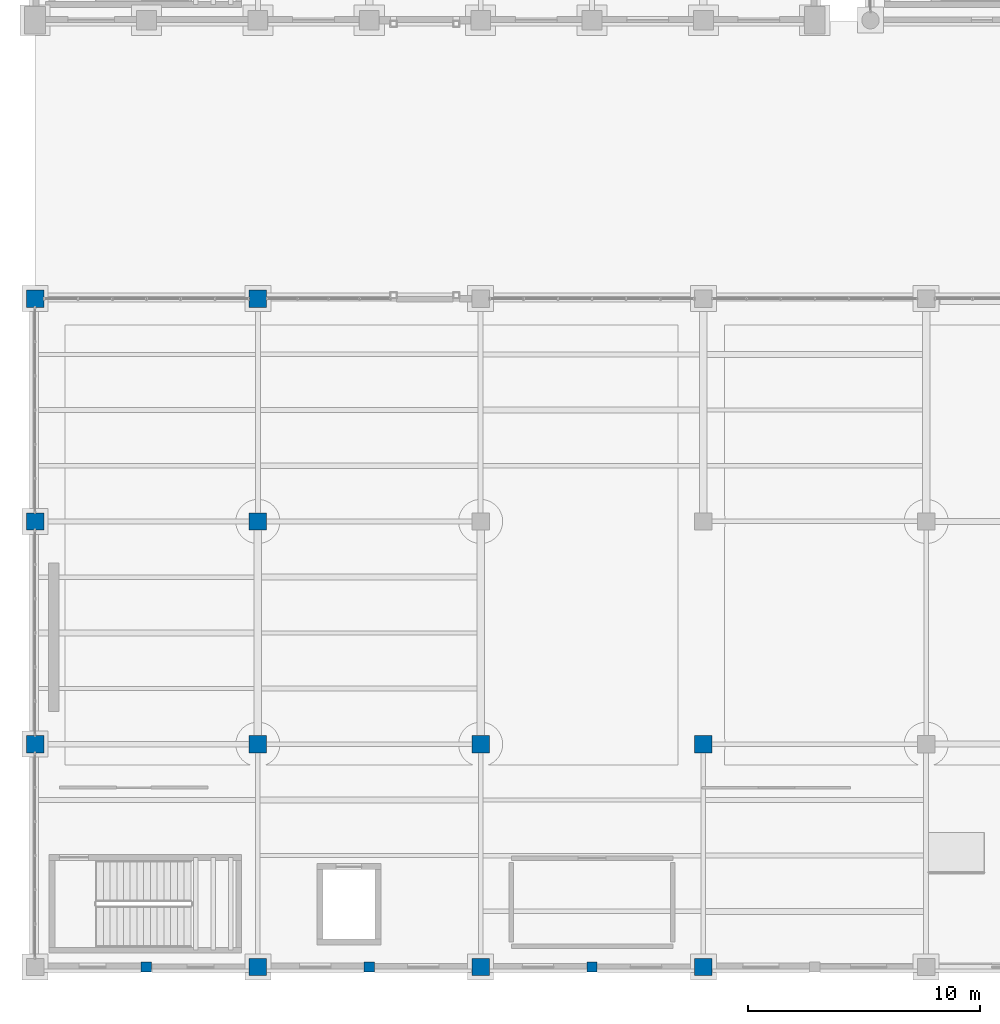
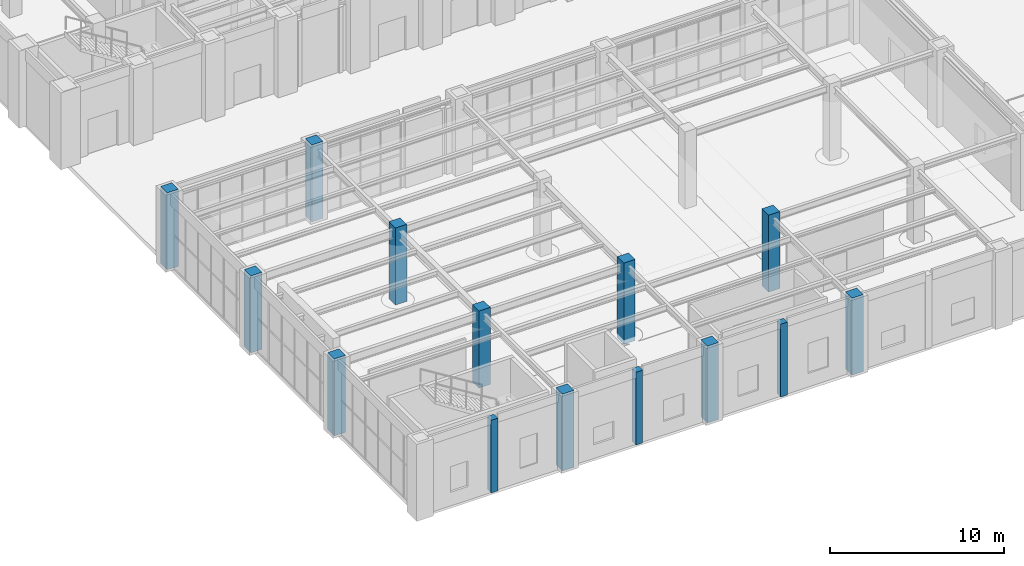
# One storey, part 2 of 164: 14 columns.
"""IFC4 building model written with IfcOpenShell, lengths in metres."""

from ifc_helpers import new_model, si_unit, direction, frame, origin, origin_2d, place, context, subcontext, project, spatial, rectangle, extrude, material, material_profile, profile_set, type_object, element, save


model = new_model("IFC4")

# Units and contexts
model_context = context("Model", 3, precision=1e-05, world=origin(), true_north=direction((0.0, 1.0)))
body_context = subcontext(model_context, "Body", "Model", "MODEL_VIEW")
ifc_project = project(units=[si_unit("LENGTHUNIT", "METRE"), si_unit("AREAUNIT", "SQUARE_METRE"), si_unit("VOLUMEUNIT", "CUBIC_METRE"), si_unit("PLANEANGLEUNIT", "RADIAN"), si_unit("MASSUNIT", "GRAM", prefix="KILO")], contexts=[model_context])

# Site, building, storey
site_placement = place(None, origin())
site = spatial("IfcSite", under=ifc_project, at=site_placement, CompositionType="ELEMENT")
building_placement = place(site_placement, origin())
building = spatial("IfcBuilding", under=site, at=building_placement, Name="Mavantir Sound Aquarium", CompositionType="ELEMENT")
storey_placement = place(building_placement, origin())
storey = spatial("IfcBuildingStorey", under=building, at=storey_placement, Name="L00", CompositionType="ELEMENT", Elevation=0.0)

# Columns
ifc_material = material(Name="Concrete C40/50", Category="concrete")
ifc_material_profile_1 = material_profile(ifc_material, rectangle(XDim=0.449951171875, YDim=0.449951171875, at=origin_2d()), Name="RC 450X450")
ifc_profile_set_1 = profile_set([ifc_material_profile_1], Name="Concrete C40/50")
column_type_1 = type_object("IfcColumnType", Name="COL-RC450-E", PredefinedType="PILASTER", material=ifc_profile_set_1)
for number, where, z_axis, x_axis, name in (
    (1, (4.800048828125, 0.0, 0.0), (0.0, 0.0, 1.0), (1.0, 0.0, 0.0), "Postmodern facade pilaster L00.1"),
    (2, (14.39990234375, 0.0, 0.0), (0.0, 0.0, 1.0), (1.0, 0.0, 0.0), "Postmodern facade pilaster L00.2"),
    (3, (24.0, 0.0, 0.0), (0.0, 0.0, 1.0), (1.0, 0.0, 0.0), "Postmodern facade pilaster L00.3"),
):
    element("IfcColumn", number, at=place(storey_placement, frame(where, z_axis=z_axis, x_axis=x_axis)), inside=storey, type_object=column_type_1, Name=name, PredefinedType="PILASTER", context=body_context, shape_type="SweptSolid", body=[
        extrude(rectangle(XDim=0.449951171875, YDim=0.449951171875, at=origin_2d()), origin(), (0.0, 0.0, 1.0), 5.10009765625),
    ])
ifc_material_profile_2 = material_profile(ifc_material, rectangle(XDim=0.75, YDim=0.75, at=origin_2d()), Name="RC 750X750")
ifc_profile_set_2 = profile_set([ifc_material_profile_2], Name="Concrete C40/50")
column_type_2 = type_object("IfcColumnType", Name="COL-RC750-E", PredefinedType="COLUMN", material=ifc_profile_set_2)
for number, where, z_axis, x_axis, name in (
    (4, (0.0, 9.60009765625, 0.0), (0.0, 0.0, 1.0), (1.0, 0.0, 0.0), "L00 column RC-C75 (V3)"),
    (5, (0.0, 19.199951171875, 0.0), (0.0, 0.0, 1.0), (1.0, 0.0, 0.0), "L00 column RC-C75 (V3)"),
    (6, (0.0, 28.800048828125, 0.0), (0.0, 0.0, 1.0), (1.0, 0.0, 0.0), "L00 column RC-C75 (V3)"),
    (7, (9.60009765625, 0.0, 0.0), (0.0, 0.0, 1.0), (1.0, 0.0, 0.0), "L00 column RC-C75 (V3)"),
    (8, (19.199951171875, 0.0, 0.0), (0.0, 0.0, 1.0), (1.0, 0.0, 0.0), "L00 column RC-C75 (V3)"),
    (9, (28.800048828125, 0.0, 0.0), (0.0, 0.0, 1.0), (1.0, 0.0, 0.0), "L00 column RC-C75 (V3)"),
):
    element("IfcColumn", number, at=place(storey_placement, frame(where, z_axis=z_axis, x_axis=x_axis)), inside=storey, type_object=column_type_2, Name=name, PredefinedType="COLUMN", context=body_context, shape_type="SweptSolid", body=[
        extrude(rectangle(XDim=0.75, YDim=0.75, at=origin_2d()), origin(), (0.0, 0.0, 1.0), 5.39990234375),
    ])
ifc_material_profile_3 = material_profile(ifc_material, rectangle(XDim=0.75, YDim=0.75, at=origin_2d()), Name="RC 750X750")
ifc_profile_set_3 = profile_set([ifc_material_profile_3], Name="Concrete C40/50")
column_type_3 = type_object("IfcColumnType", Name="COL-RC750-I", PredefinedType="COLUMN", material=ifc_profile_set_3)
for number, where, z_axis, x_axis, name in (
    (10, (9.60009765625, 9.60009765625, 0.0), (0.0, 0.0, 1.0), (1.0, 0.0, 0.0), "L00 column RC-C75 (V3)"),
    (11, (9.60009765625, 19.199951171875, 0.0), (0.0, 0.0, 1.0), (1.0, 0.0, 0.0), "L00 column RC-C75 (V3)"),
    (12, (9.60009765625, 28.800048828125, 0.0), (0.0, 0.0, 1.0), (1.0, 0.0, 0.0), "L00 column RC-C75 (V3)"),
):
    element("IfcColumn", number, at=place(storey_placement, frame(where, z_axis=z_axis, x_axis=x_axis)), inside=storey, type_object=column_type_3, Name=name, PredefinedType="COLUMN", context=body_context, shape_type="SweptSolid", body=[
        extrude(rectangle(XDim=0.75, YDim=0.75, at=origin_2d()), origin(), (0.0, 0.0, 1.0), 5.39990234375),
    ])
column_1_placement = place(storey_placement, frame((19.199951171875, 9.60009765625, -0.300048828125), z_axis=(0.0, 0.0, 1.0), x_axis=(1.0, 0.0, 0.0)))
element("IfcColumn", 13, at=column_1_placement, inside=storey, type_object=column_type_3, Name="L00 column RC-C75 (V3)", PredefinedType="COLUMN", context=body_context, shape_type="SweptSolid", body=[
    extrude(rectangle(XDim=0.75, YDim=0.75, at=origin_2d()), origin(), (0.0, 0.0, 1.0), 5.699951171875),
])
column_2_placement = place(storey_placement, frame((28.800048828125, 9.60009765625, 0.0), z_axis=(0.0, 0.0, 1.0), x_axis=(1.0, 0.0, 0.0)))
element("IfcColumn", 14, at=column_2_placement, inside=storey, type_object=column_type_3, Name="L00 column RC-C75 (V3)", PredefinedType="COLUMN", context=body_context, shape_type="SweptSolid", body=[
    extrude(rectangle(XDim=0.75, YDim=0.75, at=origin_2d()), origin(), (0.0, 0.0, 1.0), 5.39990234375),
])

save(model, "model.ifc")
